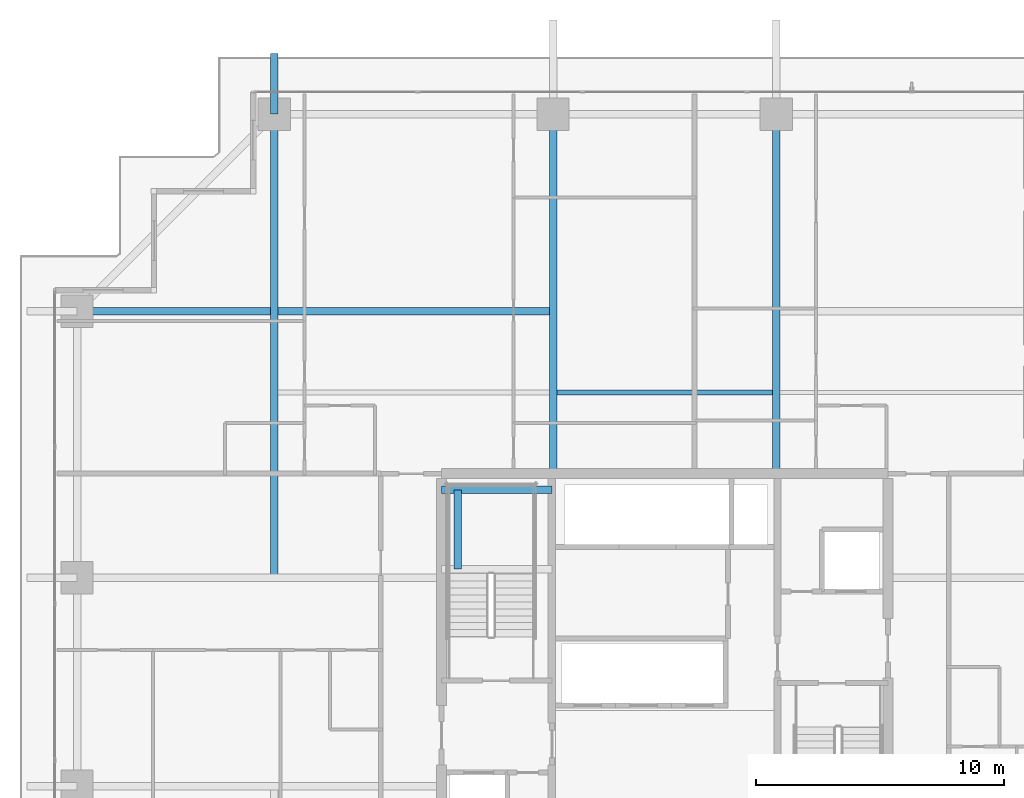
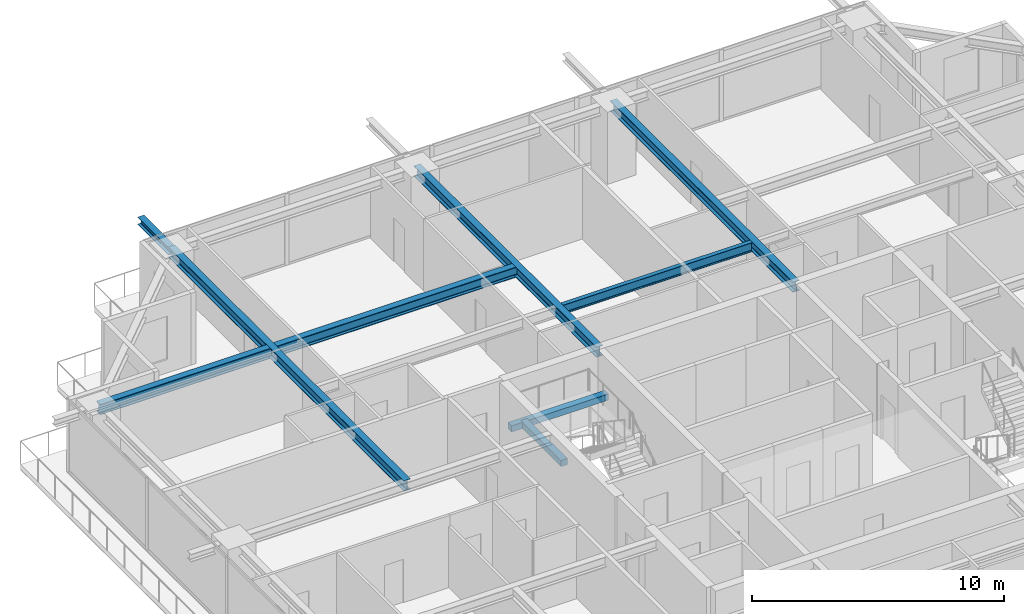
# One storey, part 19 of 36: 8 beams.
"""IFC4 building model written with IfcOpenShell, lengths in metres."""

from ifc_helpers import new_model, si_unit, direction, frame, origin, origin_2d, place, context, subcontext, project, spatial, rectangle, i_section, extrude, source, transform, mapped, material, material_profile, profile_set, type_object, element, save


model = new_model("IFC4")

# Units and contexts
model_context = context("Model", 3, precision=1e-05, world=origin(), true_north=direction((0.0, 1.0)))
body_context = subcontext(model_context, "Body", "Model", "MODEL_VIEW")
ifc_project = project(units=[si_unit("LENGTHUNIT", "METRE"), si_unit("AREAUNIT", "SQUARE_METRE"), si_unit("VOLUMEUNIT", "CUBIC_METRE"), si_unit("PLANEANGLEUNIT", "RADIAN"), si_unit("MASSUNIT", "GRAM", prefix="KILO")], contexts=[model_context])

# Site, building, storey
site_placement = place(None, origin())
site = spatial("IfcSite", under=ifc_project, at=site_placement, CompositionType="ELEMENT")
building_placement = place(site_placement, origin())
building = spatial("IfcBuilding", under=site, at=building_placement, Name="Serunith Strait Residences", CompositionType="ELEMENT")
storey_placement = place(building_placement, frame((0.0, 0.0, 146.39990234375)))
storey = spatial("IfcBuildingStorey", under=building, at=storey_placement, Name="L36", CompositionType="ELEMENT", Elevation=146.39990234375)

# Beams
ifc_material_1 = material(Name="Steel S355J2", Category="steel")
ifc_material_profile_1 = material_profile(ifc_material_1, i_section(OverallWidth=0.18994140625, OverallDepth=0.449951171875, WebThickness=0.009521484375, FlangeThickness=0.0146484375, FilletRadius=0.02099609375, at=origin_2d()), Name="IPE 450")
ifc_profile_set_1 = profile_set([ifc_material_profile_1], Name="Steel S355J2")
beam_type_1 = type_object("IfcBeamType", Name="BM-IPE450", PredefinedType="JOIST", material=ifc_profile_set_1)
shared_shape_1 = source(origin(), body_context, "Body", "SweptSolid", [
    extrude(i_section(OverallWidth=0.18994140625, OverallDepth=0.449951171875, WebThickness=0.009521484375, FlangeThickness=0.0146484375, FilletRadius=0.02099609375, at=origin_2d()), origin(), (0.0, 0.0, 1.0), 8.699951171875),
])
beam_1_placement = place(storey_placement, frame((28.050048828125, 36.875, 3.26220703125), z_axis=(1.0, 0.0, 0.0), x_axis=(0.0, 1.0, 0.0)))
element("IfcBeam", 1, at=beam_1_placement, inside=storey, type_object=beam_type_1, Name="L36 Composite Floor Joist 05", PredefinedType="JOIST", context=body_context, shape_type="MappedRepresentation", body=[
    mapped(shared_shape_1, transform((0.0, 0.0, 0.0), scale=1.0)),
])
ifc_material_profile_2 = material_profile(ifc_material_1, i_section(OverallWidth=0.300048828125, OverallDepth=0.5, WebThickness=0.014404296875, FlangeThickness=0.028076171875, FilletRadius=0.027099609375, at=origin_2d()), Name="HEB 500")
ifc_profile_set_2 = profile_set([ifc_material_profile_2], Name="Steel S355J2")
beam_type_2 = type_object("IfcBeamType", Name="BM-HEB500", PredefinedType="BEAM", material=ifc_profile_set_2)
shared_shape_2 = source(origin(), body_context, "Body", "SweptSolid", [
    extrude(i_section(OverallWidth=0.300048828125, OverallDepth=0.5, WebThickness=0.014404296875, FlangeThickness=0.028076171875, FilletRadius=0.027099609375, at=origin_2d()), origin(), (0.0, 0.0, 1.0), 14.5),
])
for number, where, z_axis, x_axis, name in (
    (2, (27.89990234375, 33.60009765625, 3.237060546875), (0.0, 1.0, 0.0), (-1.0, 0.0, 0.0), "L36 Primary Floor Girder TC-N2"),
    (3, (36.89990234375, 33.60009765625, 3.237060546875), (0.0, 1.0, 0.0), (-1.0, 0.0, 0.0), "L36 Primary Floor Girder TC-N3"),
):
    element("IfcBeam", number, at=place(storey_placement, frame(where, z_axis=z_axis, x_axis=x_axis)), inside=storey, type_object=beam_type_2, Name=name, PredefinedType="BEAM", context=body_context, shape_type="MappedRepresentation", body=[
        mapped(shared_shape_2, transform((0.0, 0.0, 0.0), scale=1.0)),
    ])
shared_shape_3 = source(origin(), body_context, "Body", "SweptSolid", [
    extrude(i_section(OverallWidth=0.300048828125, OverallDepth=0.5, WebThickness=0.014404296875, FlangeThickness=0.028076171875, FilletRadius=0.027099609375, at=origin_2d()), origin(), (0.0, 0.0, 1.0), 18.7001953125),
])
beam_2_placement = place(storey_placement, frame((16.64990234375, 29.39990234375, 3.237060546875), z_axis=(0.0, 1.0, 0.0), x_axis=(-1.0, 0.0, 0.0)))
element("IfcBeam", 4, at=beam_2_placement, inside=storey, type_object=beam_type_2, Name="L36 Orthogonal Corner Girder TC-N1", PredefinedType="BEAM", context=body_context, shape_type="MappedRepresentation", body=[
    mapped(shared_shape_3, transform((0.0, 0.0, 0.0), scale=1.0)),
])
shared_shape_4 = source(origin(), body_context, "Body", "SweptSolid", [
    extrude(i_section(OverallWidth=0.300048828125, OverallDepth=0.5, WebThickness=0.014404296875, FlangeThickness=0.028076171875, FilletRadius=0.027099609375, at=origin_2d()), origin(), (0.0, 0.0, 1.0), 19.199951171875),
])
beam_3_placement = place(storey_placement, frame((27.89990234375, 40.14990234375, 3.237060546875), z_axis=(-1.0, 0.0, 0.0), x_axis=(0.0, -1.0, 0.0)))
element("IfcBeam", 5, at=beam_3_placement, inside=storey, type_object=beam_type_2, Name="L36 Orthogonal Corner Girder TC-W4", PredefinedType="BEAM", context=body_context, shape_type="MappedRepresentation", body=[
    mapped(shared_shape_4, transform((0.0, 0.0, 0.0), scale=1.0)),
])
ifc_material_profile_3 = material_profile(ifc_material_1, i_section(OverallWidth=0.300048828125, OverallDepth=0.360107421875, WebThickness=0.012451171875, FlangeThickness=0.0224609375, FilletRadius=0.027099609375, at=origin_2d()), Name="HEB 360")
ifc_profile_set_3 = profile_set([ifc_material_profile_3], Name="Steel S355J2")
beam_type_3 = type_object("IfcBeamType", Name="BM-HEB360", PredefinedType="BEAM", material=ifc_profile_set_3)
shared_shape_5 = source(origin(), body_context, "Body", "SweptSolid", [
    extrude(i_section(OverallWidth=0.300048828125, OverallDepth=0.360107421875, WebThickness=0.012451171875, FlangeThickness=0.0224609375, FilletRadius=0.027099609375, at=origin_2d()), origin(), (0.0, 0.0, 1.0), 2.440673828125),
])
beam_4_placement = place(storey_placement, frame((16.64990234375, 48.10009765625, 3.277099609375), z_axis=(0.0, 1.0, 0.0), x_axis=(-1.0, 0.0, 0.0)))
element("IfcBeam", 6, at=beam_4_placement, inside=storey, type_object=beam_type_3, Name="L37 Cantilevered Balcony Rib TC-N1", PredefinedType="BEAM", context=body_context, shape_type="MappedRepresentation", body=[
    mapped(shared_shape_5, transform((0.0, 0.0, 0.0), scale=1.0)),
])
ifc_material_2 = material(Name="Concrete C60/75", Category="concrete")
ifc_material_profile_4 = material_profile(ifc_material_2, rectangle(XDim=0.300048828125, YDim=0.300048828125, at=origin_2d()), Name="RC 300x300")
ifc_profile_set_4 = profile_set([ifc_material_profile_4], Name="Concrete C60/75")
beam_type_4 = type_object("IfcBeamType", Name="BM-LAND-300x300", PredefinedType="BEAM", material=ifc_profile_set_4)
shared_shape_6 = source(origin(), body_context, "Body", "SweptSolid", [
    extrude(rectangle(XDim=0.300048828125, YDim=0.300048828125, at=origin_2d()), origin(), (0.0, 0.0, 1.0), 4.4501953125),
])
beam_5_placement = place(storey_placement, frame((23.39990234375, 32.949951171875, 1.525146484375), z_axis=(1.0, 0.0, 0.0), x_axis=(0.0, 1.0, 0.0)))
element("IfcBeam", 7, at=beam_5_placement, inside=storey, type_object=beam_type_4, Name="L36 ST-1 Landing Support Beam 2", PredefinedType="BEAM", context=body_context, shape_type="MappedRepresentation", body=[
    mapped(shared_shape_6, transform((0.0, 0.0, 0.0), scale=1.0)),
])
shared_shape_7 = source(origin(), body_context, "Body", "SweptSolid", [
    extrude(rectangle(XDim=0.300048828125, YDim=0.300048828125, at=origin_2d()), origin(), (0.0, 0.0, 1.0), 3.199951171875),
])
beam_6_placement = place(storey_placement, frame((24.050048828125, 29.75, 1.525146484375), z_axis=(0.0, 1.0, 0.0), x_axis=(-1.0, 0.0, 0.0)))
element("IfcBeam", 8, at=beam_6_placement, inside=storey, type_object=beam_type_4, Name="L36 ST-1 Landing Transverse Tie Beam", PredefinedType="BEAM", context=body_context, shape_type="MappedRepresentation", body=[
    mapped(shared_shape_7, transform((0.0, 0.0, 0.0), scale=1.0)),
])

save(model, "model.ifc")
